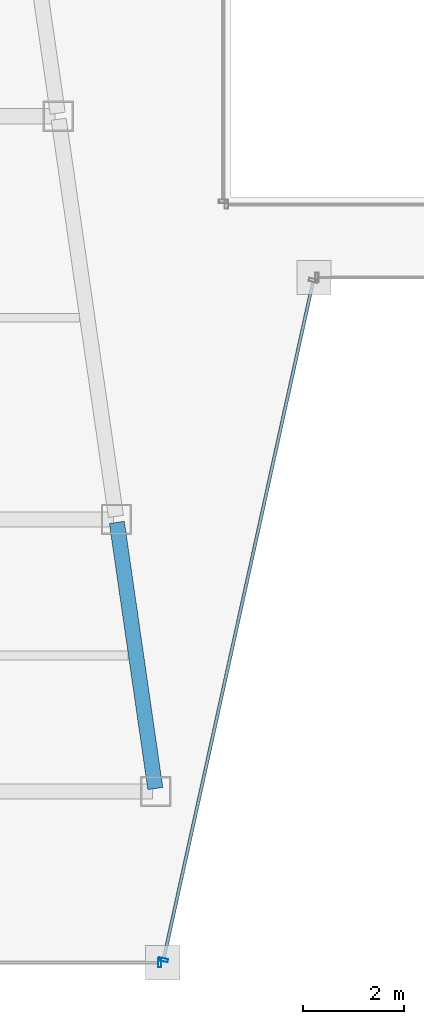
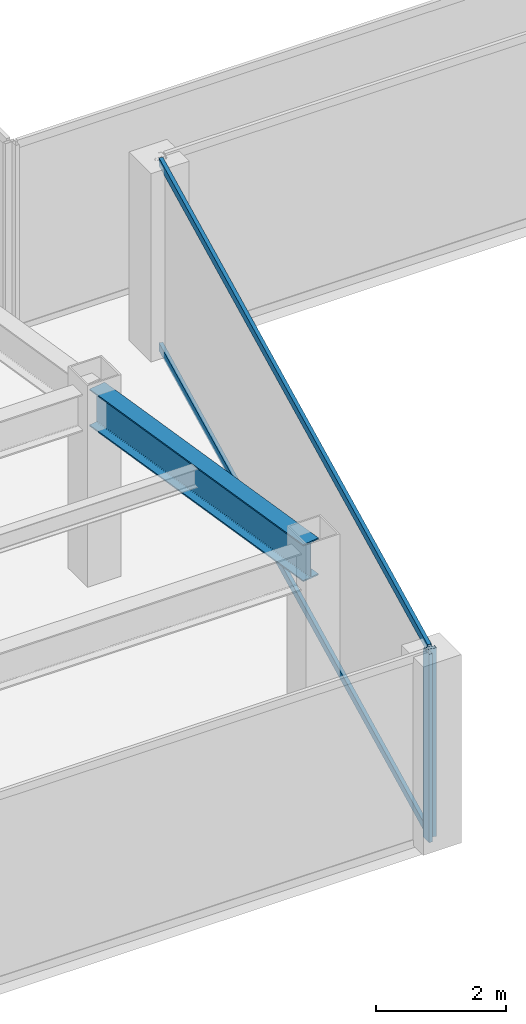
# One storey, part 5 of 36: 4 members, 1 beam, 2 elements without a shape of their own.
"""IFC4 building model written with IfcOpenShell, lengths in metres."""

from ifc_helpers import new_model, si_unit, direction, frame, origin, origin_2d, place, context, subcontext, project, spatial, hollow_rectangle, i_section, extrude, material, material_profile, profile_set, type_object, element, aggregate, save


model = new_model("IFC4")

# Units and contexts
model_context = context("Model", 3, precision=1e-05, world=origin(), true_north=direction((0.0, 1.0)))
body_context = subcontext(model_context, "Body", "Model", "MODEL_VIEW")
ifc_project = project(units=[si_unit("LENGTHUNIT", "METRE"), si_unit("AREAUNIT", "SQUARE_METRE"), si_unit("VOLUMEUNIT", "CUBIC_METRE"), si_unit("PLANEANGLEUNIT", "RADIAN"), si_unit("MASSUNIT", "GRAM", prefix="KILO")], contexts=[model_context])

# Site, building, storey
site_placement = place(None, origin())
site = spatial("IfcSite", under=ifc_project, at=site_placement, CompositionType="ELEMENT")
building_placement = place(site_placement, origin())
building = spatial("IfcBuilding", under=site, at=building_placement, Name="Saevonmaru Cultural Tower", CompositionType="ELEMENT")
storey_placement = place(building_placement, frame((0.0, 0.0, 148.60009765625)))
storey = spatial("IfcBuildingStorey", under=building, at=storey_placement, Name="L32", CompositionType="ELEMENT", Elevation=148.60009765625)

# Beam
ifc_material_1 = material(Name="Steel SM355", Category="steel")
ifc_material_profile_1 = material_profile(ifc_material_1, i_section(OverallWidth=0.300048828125, OverallDepth=0.699951171875, WebThickness=0.012939453125, FlangeThickness=0.02392578125, FilletRadius=0.02587890625, at=origin_2d()), Name="H-700x300x13x24")
ifc_profile_set_1 = profile_set([ifc_material_profile_1], Name="Steel SM355")
beam_type = type_object("IfcBeamType", Name="BM-G-H700", PredefinedType="BEAM", material=ifc_profile_set_1)
beam_placement = place(storey_placement, frame((22.699462890625, 10.659423828125, 3.199951171875), z_axis=(-0.142977693794, 0.989725911087, 0.0), x_axis=(-0.989725911087, -0.142977693794, 0.0)))
element("IfcBeam", 1, at=beam_placement, inside=storey, type_object=beam_type, Name="L32 West Atrium Girder 1", PredefinedType="BEAM", context=body_context, shape_type="SweptSolid", body=[
    extrude(i_section(OverallWidth=0.300048828125, OverallDepth=0.699951171875, WebThickness=0.012939453125, FlangeThickness=0.02392578125, FilletRadius=0.02587890625, at=origin_2d()), origin(), (0.0, 0.0, 1.0), 5.336181640625),
])

# Curtain wall, member
ifc_material_2 = material(Name="Satin Bronze Anodised Aluminium", Category="aluminium")
curtain_wall_type = type_object("IfcCurtainWallType", Name="CW-TYP-A", PredefinedType="NOTDEFINED", material=ifc_material_2)
curtain_wall_1_placement = place(storey_placement, origin())
curtain_wall_1 = element("IfcCurtainWall", 2, at=curtain_wall_1_placement, inside=storey, type_object=curtain_wall_type, Name="L32 Unitised Curtain Wall E2", PredefinedType="NOTDEFINED")
ifc_material_profile_2 = material_profile(ifc_material_2, hollow_rectangle(XDim=0.06494140625, YDim=0.179931640625, WallThickness=0.00390625, at=origin_2d()), Name="ALU-MULL-180x65x4")
ifc_profile_set_2 = profile_set([ifc_material_profile_2], Name="Satin Bronze Anodised Aluminium")
member_type_1 = type_object("IfcMemberType", Name="ML-CW-180x65", PredefinedType="MULLION", material=ifc_profile_set_2)
member_1_placement = place(storey_placement, frame((22.788818359375, 7.199951171875, 0.0), z_axis=(0.0, 0.0, 1.0), x_axis=(1.0, 0.0, 0.0)))
member_1 = element("IfcMember", 3, at=member_1_placement, type_object=member_type_1, Name="CW-TW-L32-E2 mullion 2", PredefinedType="MULLION", context=body_context, shape_type="SweptSolid", body=[
    extrude(hollow_rectangle(XDim=0.06494140625, YDim=0.179931640625, WallThickness=0.00390625, at=origin_2d()), origin(), (0.0, 0.0, 1.0), 3.5498046875),
])
aggregate(curtain_wall_1, [member_1])

# Curtain wall, members
curtain_wall_2_placement = place(storey_placement, origin())
curtain_wall_2 = element("IfcCurtainWall", 4, at=curtain_wall_2_placement, inside=storey, type_object=curtain_wall_type, Name="L32 Unitised Curtain Wall E3", PredefinedType="NOTDEFINED")
member_2_placement = place(storey_placement, frame((22.86181640625, 7.258544921875, 0.0), z_axis=(0.0, 0.0, 1.0), x_axis=(0.215413319953, 0.976522965212, 0.0)))
member_2 = element("IfcMember", 5, at=member_2_placement, type_object=member_type_1, Name="CW-TW-L32-E3 mullion 1", PredefinedType="MULLION", context=body_context, shape_type="SweptSolid", body=[
    extrude(hollow_rectangle(XDim=0.06494140625, YDim=0.179931640625, WallThickness=0.00390625, at=origin_2d()), origin(), (0.0, 0.0, 1.0), 3.5498046875),
])
ifc_material_profile_3 = material_profile(ifc_material_2, hollow_rectangle(XDim=0.06494140625, YDim=0.14990234375, WallThickness=0.00390625, at=origin_2d()), Name="ALU-TRAN-150x65x4")
ifc_profile_set_3 = profile_set([ifc_material_profile_3], Name="Satin Bronze Anodised Aluminium")
member_type_2 = type_object("IfcMemberType", Name="TR-CW-150x65", PredefinedType="USERDEFINED", material=ifc_profile_set_3)
member_3_placement = place(storey_placement, frame((22.868896484375, 7.290283203125, 0.032470703125), z_axis=(0.21541214732, 0.976523223885, 0.0), x_axis=(-0.976523223885, 0.21541214732, 0.0)))
member_3 = element("IfcMember", 6, at=member_3_placement, type_object=member_type_2, Name="CW-TW-L32-E3 transom 1.1", ObjectType="TRANSOM", PredefinedType="USERDEFINED", context=body_context, shape_type="SweptSolid", body=[
    extrude(hollow_rectangle(XDim=0.06494140625, YDim=0.14990234375, WallThickness=0.00390625, at=origin_2d()), origin(), (0.0, 0.0, 1.0), 13.741943359375),
])
member_4_placement = place(storey_placement, frame((22.868896484375, 7.290283203125, 3.517333984375), z_axis=(0.21541214732, 0.976523223885, 0.0), x_axis=(-0.976523223885, 0.21541214732, 0.0)))
member_4 = element("IfcMember", 7, at=member_4_placement, type_object=member_type_2, Name="CW-TW-L32-E3 transom 1.2", ObjectType="TRANSOM", PredefinedType="USERDEFINED", context=body_context, shape_type="SweptSolid", body=[
    extrude(hollow_rectangle(XDim=0.06494140625, YDim=0.14990234375, WallThickness=0.00390625, at=origin_2d()), origin(), (0.0, 0.0, 1.0), 13.741943359375),
])
aggregate(curtain_wall_2, [member_2, member_3, member_4])

save(model, "model.ifc")
